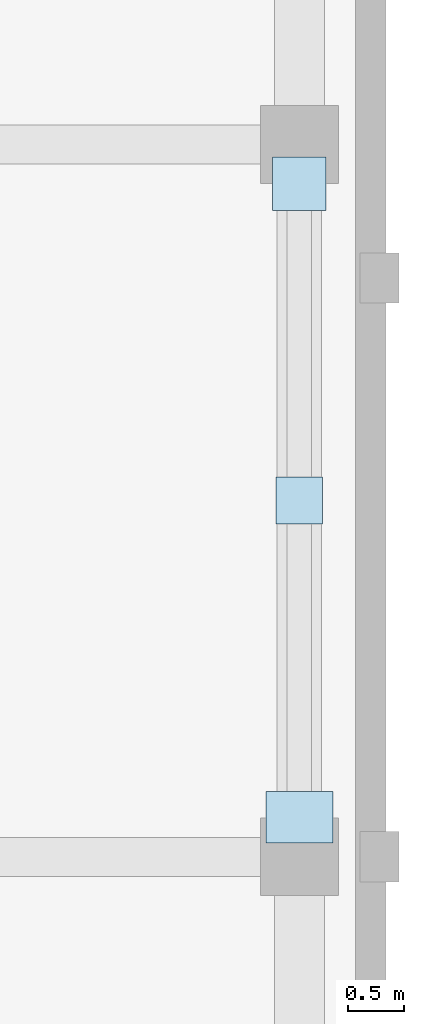
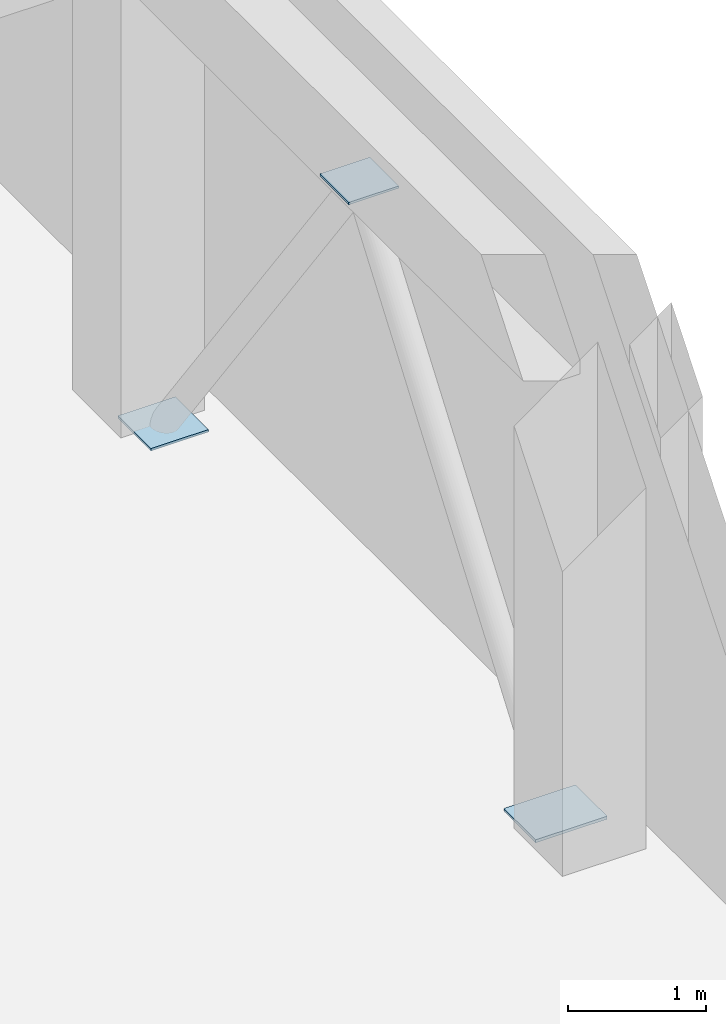
# One storey, part 51 of 76: 3 plates.
"""IFC4 building model written with IfcOpenShell, lengths in metres."""

from ifc_helpers import new_model, si_unit, direction, frame, origin, origin_2d, place, context, subcontext, project, spatial, rectangle, extrude, material, layer, layer_set, type_object, element, save


model = new_model("IFC4")

# Units and contexts
model_context = context("Model", 3, precision=1e-05, world=origin(), true_north=direction((0.0, 1.0)))
body_context = subcontext(model_context, "Body", "Model", "MODEL_VIEW")
ifc_project = project(units=[si_unit("LENGTHUNIT", "METRE"), si_unit("AREAUNIT", "SQUARE_METRE"), si_unit("VOLUMEUNIT", "CUBIC_METRE"), si_unit("PLANEANGLEUNIT", "RADIAN"), si_unit("MASSUNIT", "GRAM", prefix="KILO")], contexts=[model_context])

# Site, building, storey
site_placement = place(None, origin())
site = spatial("IfcSite", under=ifc_project, at=site_placement, CompositionType="ELEMENT")
building_placement = place(site_placement, origin())
building = spatial("IfcBuilding", under=site, at=building_placement, Name="Cinchona Park Media Centre", CompositionType="ELEMENT")
storey_placement = place(building_placement, frame((0.0, 0.0, 15.60009765625)))
storey = spatial("IfcBuildingStorey", under=building, at=storey_placement, Name="L03", CompositionType="ELEMENT", Elevation=15.60009765625)

# Plates
ifc_material_1 = material(Name="Steel S355", Category="steel")
ifc_layer_1 = layer(ifc_material_1, 0.02001953125)
ifc_layer_set_1 = layer_set([ifc_layer_1], Name="Steel S355")
plate_type_1 = type_object("IfcPlateType", Name="PLATE-GP01", PredefinedType="USERDEFINED", material=ifc_layer_set_1)
plate_1_placement = place(storey_placement, frame((171.360107421875, 90.800048828125, 3.869873046875), z_axis=(0.0, 0.0, 1.0), x_axis=(1.0, 0.0, 0.0)))
element("IfcPlate", 1, at=plate_1_placement, inside=storey, type_object=plate_type_1, Name="Truss Node Gusset Plate TN2", ObjectType="GUSSET PLATE", PredefinedType="USERDEFINED", context=body_context, shape_type="SweptSolid", body=[
    extrude(rectangle(XDim=0.419921875, YDim=0.419921875, at=origin_2d()), origin(), (0.0, 0.0, 1.0), 0.02001953125),
])
ifc_material_2 = material(Name="Steel S355", Category="steel")
ifc_layer_2 = layer(ifc_material_2, 0.02197265625)
ifc_layer_set_2 = layer_set([ifc_layer_2], Name="Steel S355")
plate_type_2 = type_object("IfcPlateType", Name="PLATE-GP02", PredefinedType="USERDEFINED", material=ifc_layer_set_2)
plate_2_placement = place(storey_placement, frame((171.360107421875, 93.64501953125, -0.006103515625), z_axis=(0.0, 0.0, 1.0), x_axis=(1.0, 0.0, 0.0)))
element("IfcPlate", 2, at=plate_2_placement, inside=storey, type_object=plate_type_2, Name="Truss Node Gusset Plate TN2", ObjectType="GUSSET PLATE", PredefinedType="USERDEFINED", context=body_context, shape_type="SweptSolid", body=[
    extrude(rectangle(XDim=0.47998046875, YDim=0.47998046875, at=origin_2d()), origin(), (0.0, 0.0, 1.0), 0.02197265625),
])
ifc_material_3 = material(Name="Steel S355", Category="steel")
ifc_layer_3 = layer(ifc_material_3, 0.02587890625)
ifc_layer_set_3 = layer_set([ifc_layer_3], Name="Steel S355")
plate_type_3 = type_object("IfcPlateType", Name="PLATE-GP04", PredefinedType="USERDEFINED", material=ifc_layer_set_3)
plate_3_placement = place(storey_placement, frame((171.360107421875, 87.955078125, -0.008056640625), z_axis=(0.0, 0.0, 1.0), x_axis=(1.0, 0.0, 0.0)))
element("IfcPlate", 3, at=plate_3_placement, inside=storey, type_object=plate_type_3, Name="Truss Node Gusset Plate TN2", ObjectType="GUSSET PLATE", PredefinedType="USERDEFINED", context=body_context, shape_type="SweptSolid", body=[
    extrude(rectangle(XDim=0.60009765625, YDim=0.4599609375, at=origin_2d()), origin(), (0.0, 0.0, 1.0), 0.02587890625),
])

save(model, "model.ifc")
